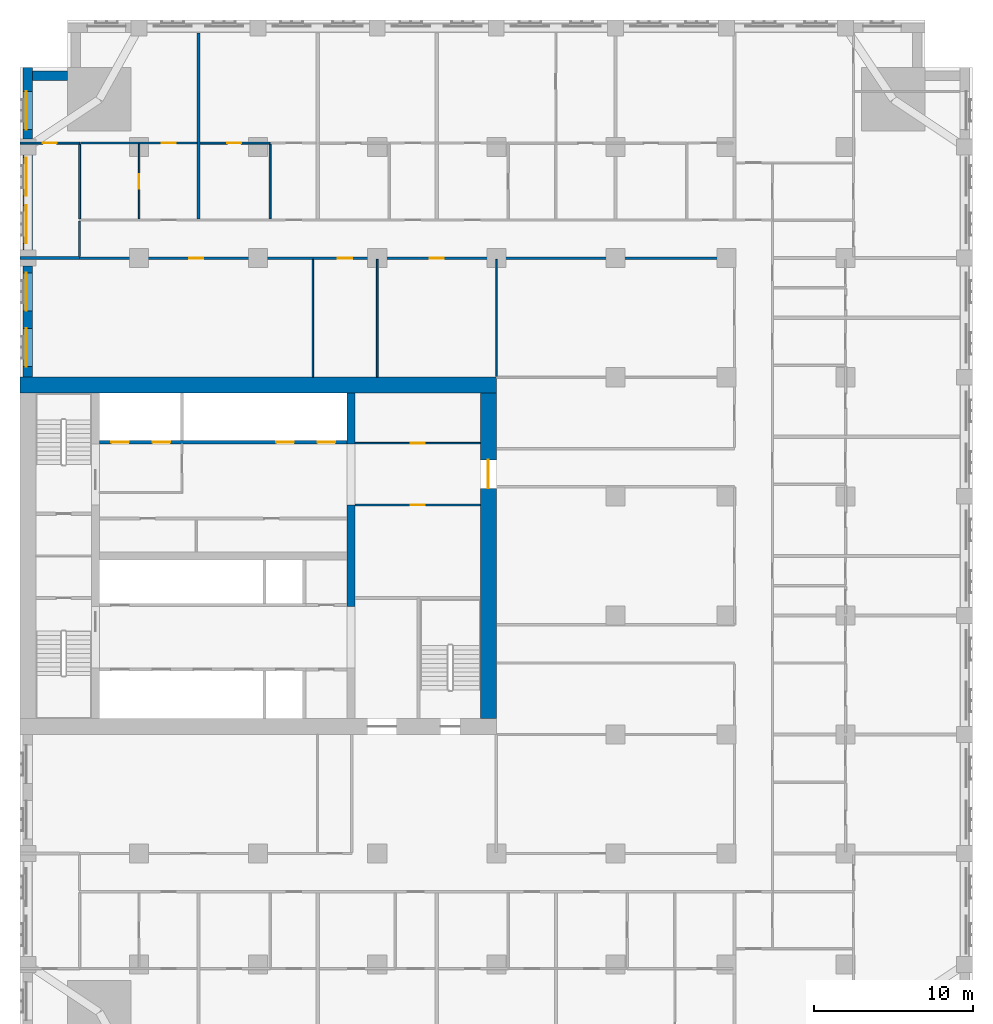
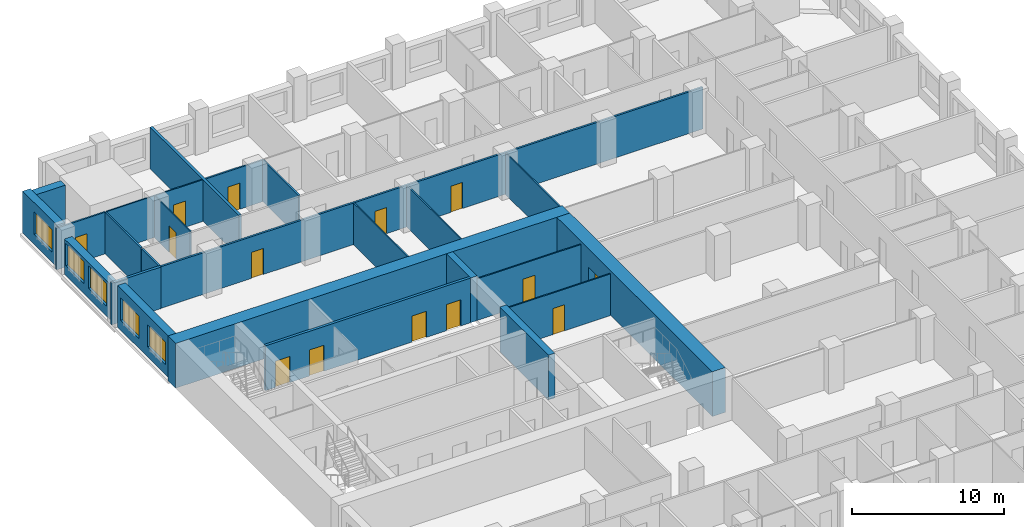
# One storey, part 8 of 14: 24 walls, 14 doors, 5 windows, 19 openings.
"""IFC4 building model written with IfcOpenShell, lengths in metres."""

from ifc_helpers import new_model, si_unit, direction, frame, frame_2d, origin, place, context, subcontext, project, spatial, rectangle, extrude, material, layer, layer_set, type_object, element, fill, save


model = new_model("IFC4")

# Units and contexts
model_context = context("Model", 3, precision=1e-05, world=origin(), true_north=direction((0.0, 1.0)))
body_context = subcontext(model_context, "Body", "Model", "MODEL_VIEW")
ifc_project = project(units=[si_unit("LENGTHUNIT", "METRE"), si_unit("AREAUNIT", "SQUARE_METRE"), si_unit("VOLUMEUNIT", "CUBIC_METRE"), si_unit("PLANEANGLEUNIT", "RADIAN"), si_unit("MASSUNIT", "GRAM", prefix="KILO")], contexts=[model_context])

# Site, building, storey
site_placement = place(None, origin())
site = spatial("IfcSite", under=ifc_project, at=site_placement, CompositionType="ELEMENT")
building_placement = place(site_placement, origin())
building = spatial("IfcBuilding", under=site, at=building_placement, Name="Tamorin Gate", CompositionType="ELEMENT")
storey_placement = place(building_placement, frame((0.0, 0.0, 52.0)))
storey = spatial("IfcBuildingStorey", under=building, at=storey_placement, Name="L11", CompositionType="ELEMENT", Elevation=52.0)

# Wall
ifc_material_1 = material(Name="Precast concrete C40/50", Category="concrete")
ifc_layer_1 = layer(ifc_material_1, 0.60009765625)
ifc_layer_set_1 = layer_set([ifc_layer_1], Name="Precast concrete C40/50")
wall_type_1 = type_object("IfcWallType", Name="Board-marked concrete facade panel 600", PredefinedType="SOLIDWALL", material=ifc_layer_set_1)
wall_1_placement = place(storey_placement, frame((33.0, 101.5, 0.0), z_axis=(0.0, 0.0, 1.0), x_axis=(-1.0, 0.0, 0.0)))
element("IfcWall", 1, at=wall_1_placement, inside=storey, type_object=wall_type_1, Name="Facade panel", PredefinedType="SOLIDWALL", context=body_context, shape_type="SweptSolid", body=[
    extrude(rectangle(XDim=2.199951171875, YDim=0.60009765625, at=frame_2d((1.10009765625, 0.0))), origin(), (0.0, 0.0, 1.0), 3.35009765625),
])

# Wall, opening, window
wall_2_placement = place(storey_placement, frame((30.5, 102.0, 0.0), z_axis=(0.0, 0.0, 1.0), x_axis=(0.0, -1.0, 0.0)))
wall_2 = element("IfcWall", 2, at=wall_2_placement, inside=storey, type_object=wall_type_1, Name="Facade panel", PredefinedType="SOLIDWALL", context=body_context, shape_type="SweptSolid", body=[
    extrude(rectangle(XDim=4.5, YDim=0.60009765625, at=frame_2d((2.25, 0.0))), origin(), (0.0, 0.0, 1.0), 3.35009765625),
])
opening_1_placement = place(wall_2_placement, frame((1.5, 0.0, 0.800048828125)))
opening_1 = element("IfcOpeningElement", 3, at=opening_1_placement, cuts=wall_2, Name="Opening WN1", PredefinedType="OPENING", context=body_context, shape_type="SweptSolid", body=[
    extrude(rectangle(XDim=2.39990234375, YDim=1.800048828125, at=frame_2d((1.199951171875, 0.89990234375))), frame((0.0, 0.31005859375, 0.0), z_axis=(0.0, -1.0, 0.0), x_axis=(1.0, 0.0, 0.0)), (0.0, 0.0, 1.0), 0.6201171875),
])
ifc_material_2 = material(Name="Clear glass in aluminium frame", Category="aluminium")
window_type = type_object("IfcWindowType", Name="Deep-set window 2400x1800", PartitioningType="SINGLE_PANEL", PredefinedType="WINDOW", material=ifc_material_2)
window_1_placement = place(opening_1_placement, origin())
window_1 = element("IfcWindow", 4, at=window_1_placement, inside=storey, type_object=window_type, Name="Deep-set window", OverallHeight=1.800048828125, OverallWidth=2.39990234375, PartitioningType="SINGLE_PANEL", PredefinedType="WINDOW", context=body_context, shape_type="SweptSolid", body=[
    extrude(rectangle(XDim=2.39990234375, YDim=1.800048828125, at=frame_2d((1.199951171875, 0.89990234375))), frame((0.0, -0.070068359375, 0.0), z_axis=(0.0, -1.0, 0.0), x_axis=(1.0, 0.0, 0.0)), (0.0, 0.0, 1.0), 0.06005859375),
])
fill(opening_1, window_1)

# Wall, openings, windows
wall_3_placement = place(storey_placement, frame((30.5, 96.5, 0.0), z_axis=(0.0, 0.0, 1.0), x_axis=(0.0, -1.0, 0.0)))
wall_3 = element("IfcWall", 5, at=wall_3_placement, inside=storey, type_object=wall_type_1, Name="Facade panel", PredefinedType="SOLIDWALL", context=body_context, shape_type="SweptSolid", body=[
    extrude(rectangle(XDim=6.0, YDim=0.60009765625, at=frame_2d((3.0, 0.0))), origin(), (0.0, 0.0, 1.0), 2.85009765625),
])
opening_2_placement = place(wall_3_placement, frame((3.175048828125, 0.0, 0.800048828125)))
opening_2 = element("IfcOpeningElement", 6, at=opening_2_placement, cuts=wall_3, Name="Opening WN1", PredefinedType="OPENING", context=body_context, shape_type="SweptSolid", body=[
    extrude(rectangle(XDim=2.39990234375, YDim=1.800048828125, at=frame_2d((1.199951171875, 0.89990234375))), frame((0.0, 0.31005859375, 0.0), z_axis=(0.0, -1.0, 0.0), x_axis=(1.0, 0.0, 0.0)), (0.0, 0.0, 1.0), 0.6201171875),
])
opening_3_placement = place(wall_3_placement, frame((0.175048828125, 0.0, 0.800048828125)))
opening_3 = element("IfcOpeningElement", 7, at=opening_3_placement, cuts=wall_3, Name="Opening WN1", PredefinedType="OPENING", context=body_context, shape_type="SweptSolid", body=[
    extrude(rectangle(XDim=2.39990234375, YDim=1.800048828125, at=frame_2d((1.199951171875, 0.89990234375))), frame((0.0, 0.31005859375, 0.0), z_axis=(0.0, -1.0, 0.0), x_axis=(1.0, 0.0, 0.0)), (0.0, 0.0, 1.0), 0.6201171875),
])
window_2_placement = place(opening_2_placement, origin())
window_2 = element("IfcWindow", 8, at=window_2_placement, inside=storey, type_object=window_type, Name="Deep-set window", OverallHeight=1.800048828125, OverallWidth=2.39990234375, PartitioningType="SINGLE_PANEL", PredefinedType="WINDOW", context=body_context, shape_type="SweptSolid", body=[
    extrude(rectangle(XDim=2.39990234375, YDim=1.800048828125, at=frame_2d((1.199951171875, 0.89990234375))), frame((0.0, -0.070068359375, 0.0), z_axis=(0.0, -1.0, 0.0), x_axis=(1.0, 0.0, 0.0)), (0.0, 0.0, 1.0), 0.06005859375),
])
fill(opening_2, window_2)
window_3_placement = place(opening_3_placement, origin())
window_3 = element("IfcWindow", 9, at=window_3_placement, inside=storey, type_object=window_type, Name="Deep-set window", OverallHeight=1.800048828125, OverallWidth=2.39990234375, PartitioningType="SINGLE_PANEL", PredefinedType="WINDOW", context=body_context, shape_type="SweptSolid", body=[
    extrude(rectangle(XDim=2.39990234375, YDim=1.800048828125, at=frame_2d((1.199951171875, 0.89990234375))), frame((0.0, -0.070068359375, 0.0), z_axis=(0.0, -1.0, 0.0), x_axis=(1.0, 0.0, 0.0)), (0.0, 0.0, 1.0), 0.06005859375),
])
fill(opening_3, window_3)

wall_4_placement = place(storey_placement, frame((30.5, 89.5, 0.0), z_axis=(0.0, 0.0, 1.0), x_axis=(0.0, -1.0, 0.0)))
wall_4 = element("IfcWall", 10, at=wall_4_placement, inside=storey, type_object=wall_type_1, Name="Facade panel", PredefinedType="SOLIDWALL", context=body_context, shape_type="SweptSolid", body=[
    extrude(rectangle(XDim=7.0, YDim=0.60009765625, at=frame_2d((3.5, 0.0))), origin(), (0.0, 0.0, 1.0), 3.35009765625),
])
opening_4_placement = place(wall_4_placement, frame((3.925048828125, 0.0, 0.800048828125)))
opening_4 = element("IfcOpeningElement", 11, at=opening_4_placement, cuts=wall_4, Name="Opening WN1", PredefinedType="OPENING", context=body_context, shape_type="SweptSolid", body=[
    extrude(rectangle(XDim=2.39990234375, YDim=1.800048828125, at=frame_2d((1.199951171875, 0.89990234375))), frame((0.0, 0.31005859375, 0.0), z_axis=(0.0, -1.0, 0.0), x_axis=(1.0, 0.0, 0.0)), (0.0, 0.0, 1.0), 0.6201171875),
])
opening_5_placement = place(wall_4_placement, frame((0.425048828125, 0.0, 0.800048828125)))
opening_5 = element("IfcOpeningElement", 12, at=opening_5_placement, cuts=wall_4, Name="Opening WN1", PredefinedType="OPENING", context=body_context, shape_type="SweptSolid", body=[
    extrude(rectangle(XDim=2.39990234375, YDim=1.800048828125, at=frame_2d((1.199951171875, 0.89990234375))), frame((0.0, 0.31005859375, 0.0), z_axis=(0.0, -1.0, 0.0), x_axis=(1.0, 0.0, 0.0)), (0.0, 0.0, 1.0), 0.6201171875),
])
window_4_placement = place(opening_4_placement, origin())
window_4 = element("IfcWindow", 13, at=window_4_placement, inside=storey, type_object=window_type, Name="Deep-set window", OverallHeight=1.800048828125, OverallWidth=2.39990234375, PartitioningType="SINGLE_PANEL", PredefinedType="WINDOW", context=body_context, shape_type="SweptSolid", body=[
    extrude(rectangle(XDim=2.39990234375, YDim=1.800048828125, at=frame_2d((1.199951171875, 0.89990234375))), frame((0.0, -0.070068359375, 0.0), z_axis=(0.0, -1.0, 0.0), x_axis=(1.0, 0.0, 0.0)), (0.0, 0.0, 1.0), 0.06005859375),
])
fill(opening_4, window_4)
window_5_placement = place(opening_5_placement, origin())
window_5 = element("IfcWindow", 14, at=window_5_placement, inside=storey, type_object=window_type, Name="Deep-set window", OverallHeight=1.800048828125, OverallWidth=2.39990234375, PartitioningType="SINGLE_PANEL", PredefinedType="WINDOW", context=body_context, shape_type="SweptSolid", body=[
    extrude(rectangle(XDim=2.39990234375, YDim=1.800048828125, at=frame_2d((1.199951171875, 0.89990234375))), frame((0.0, -0.070068359375, 0.0), z_axis=(0.0, -1.0, 0.0), x_axis=(1.0, 0.0, 0.0)), (0.0, 0.0, 1.0), 0.06005859375),
])
fill(opening_5, window_5)

# Wall, openings, doors
ifc_material_3 = material(Name="Gypsum board partition")
ifc_layer_2 = layer(ifc_material_3, 0.14990234375)
ifc_layer_set_2 = layer_set([ifc_layer_2], Name="Corridor wall 150")
wall_type_2 = type_object("IfcWallType", Name="Corridor wall 150", PredefinedType="PARTITIONING", material=ifc_layer_set_2)
wall_5_placement = place(storey_placement, frame((33.75, 90.0, 0.0), z_axis=(0.0, 0.0, 1.0), x_axis=(1.0, 0.0, 0.0)))
wall_5 = element("IfcWall", 15, at=wall_5_placement, inside=storey, type_object=wall_type_2, Name="Corridor wall 150", PredefinedType="PARTITIONING", context=body_context, shape_type="SweptSolid", body=[
    extrude(rectangle(XDim=41.25, YDim=0.14990234375, at=frame_2d((20.625, 0.0))), origin(), (0.0, 0.0, 1.0), 3.35009765625),
])
opening_6_placement = place(wall_5_placement, frame((6.89990234375, 0.0, 0.0)))
opening_6 = element("IfcOpeningElement", 16, at=opening_6_placement, cuts=wall_5, Name="Opening DH2070", PredefinedType="OPENING", context=body_context, shape_type="SweptSolid", body=[
    extrude(rectangle(XDim=0.89990234375, YDim=2.10009765625, at=frame_2d((0.449951171875, 1.050048828125))), frame((0.0, 0.0849609375, 0.0), z_axis=(0.0, -1.0, 0.0), x_axis=(1.0, 0.0, 0.0)), (0.0, 0.0, 1.0), 0.169921875),
])
opening_7_placement = place(wall_5_placement, frame((16.27490234375, 0.0, 0.0)))
opening_7 = element("IfcOpeningElement", 17, at=opening_7_placement, cuts=wall_5, Name="Opening DH2071", PredefinedType="OPENING", context=body_context, shape_type="SweptSolid", body=[
    extrude(rectangle(XDim=0.89990234375, YDim=2.10009765625, at=frame_2d((0.449951171875, 1.050048828125))), frame((0.0, 0.0849609375, 0.0), z_axis=(0.0, -1.0, 0.0), x_axis=(1.0, 0.0, 0.0)), (0.0, 0.0, 1.0), 0.169921875),
])
opening_8_placement = place(wall_5_placement, frame((22.050048828125, 0.0, 0.0)))
opening_8 = element("IfcOpeningElement", 18, at=opening_8_placement, cuts=wall_5, Name="Opening DH2072", PredefinedType="OPENING", context=body_context, shape_type="SweptSolid", body=[
    extrude(rectangle(XDim=0.89990234375, YDim=2.10009765625, at=frame_2d((0.449951171875, 1.050048828125))), frame((0.0, 0.0849609375, 0.0), z_axis=(0.0, -1.0, 0.0), x_axis=(1.0, 0.0, 0.0)), (0.0, 0.0, 1.0), 0.169921875),
])
ifc_material_4 = material(Name="Timber door leaf", Category="wood")
door_type_1 = type_object("IfcDoorType", Name="Door 900 x 2100 FD30S", OperationType="NOTDEFINED", PredefinedType="DOOR", material=ifc_material_4)
door_1_placement = place(opening_6_placement, origin())
door_1 = element("IfcDoor", 19, at=door_1_placement, inside=storey, type_object=door_type_1, Name="Door DH2070", OperationType="SINGLE_SWING_RIGHT", OverallHeight=2.10009765625, OverallWidth=0.89990234375, PredefinedType="DOOR", context=body_context, shape_type="SweptSolid", body=[
    extrude(rectangle(XDim=0.89990234375, YDim=2.10009765625, at=frame_2d((0.449951171875, 1.050048828125))), frame((0.0, 0.02490234375, 0.0), z_axis=(0.0, -1.0, 0.0), x_axis=(1.0, 0.0, 0.0)), (0.0, 0.0, 1.0), 0.050048828125),
])
fill(opening_6, door_1)
door_2_placement = place(opening_7_placement, origin())
door_2 = element("IfcDoor", 20, at=door_2_placement, inside=storey, type_object=door_type_1, Name="Door DH2071", OperationType="SINGLE_SWING_LEFT", OverallHeight=2.10009765625, OverallWidth=0.89990234375, PredefinedType="DOOR", context=body_context, shape_type="SweptSolid", body=[
    extrude(rectangle(XDim=0.89990234375, YDim=2.10009765625, at=frame_2d((0.449951171875, 1.050048828125))), frame((0.0, 0.02490234375, 0.0), z_axis=(0.0, -1.0, 0.0), x_axis=(1.0, 0.0, 0.0)), (0.0, 0.0, 1.0), 0.050048828125),
])
fill(opening_7, door_2)
door_3_placement = place(opening_8_placement, origin())
door_3 = element("IfcDoor", 21, at=door_3_placement, inside=storey, type_object=door_type_1, Name="Door DH2072", OperationType="SINGLE_SWING_RIGHT", OverallHeight=2.10009765625, OverallWidth=0.89990234375, PredefinedType="DOOR", context=body_context, shape_type="SweptSolid", body=[
    extrude(rectangle(XDim=0.89990234375, YDim=2.10009765625, at=frame_2d((0.449951171875, 1.050048828125))), frame((0.0, 0.02490234375, 0.0), z_axis=(0.0, -1.0, 0.0), x_axis=(1.0, 0.0, 0.0)), (0.0, 0.0, 1.0), 0.050048828125),
])
fill(opening_8, door_3)

# Walls
wall_6_placement = place(storey_placement, frame((33.75, 90.10009765625, 0.0), z_axis=(0.0, 0.0, 1.0), x_axis=(0.0, 1.0, 0.0)))
element("IfcWall", 22, at=wall_6_placement, inside=storey, type_object=wall_type_2, Name="Corridor wall 150", PredefinedType="PARTITIONING", context=body_context, shape_type="SweptSolid", body=[
    extrude(rectangle(XDim=2.224853515625, YDim=0.14990234375, at=frame_2d((1.1123046875, 0.0))), origin(), (0.0, 0.0, 1.0), 3.35009765625),
])
ifc_layer_3 = layer(ifc_material_3, 0.199951171875)
ifc_layer_set_3 = layer_set([ifc_layer_3], Name="Demising wall 200")
wall_type_3 = type_object("IfcWallType", Name="Demising wall 200", PredefinedType="PARTITIONING", material=ifc_layer_set_3)
wall_7_placement = place(storey_placement, frame((30.0, 90.0, 0.0), z_axis=(0.0, 0.0, 1.0), x_axis=(1.0, 0.0, 0.0)))
element("IfcWall", 23, at=wall_7_placement, inside=storey, type_object=wall_type_3, Name="Demising wall 200", PredefinedType="PARTITIONING", context=body_context, shape_type="SweptSolid", body=[
    extrude(rectangle(XDim=3.75, YDim=0.199951171875, at=frame_2d((1.875, 0.0))), origin(), (0.0, 0.0, 1.0), 3.35009765625),
])
wall_8_placement = place(storey_placement, frame((41.25, 92.47509765625, 0.0), z_axis=(0.0, 0.0, 1.0), x_axis=(0.0, 1.0, 0.0)))
element("IfcWall", 24, at=wall_8_placement, inside=storey, type_object=wall_type_3, Name="Demising wall 200", PredefinedType="PARTITIONING", context=body_context, shape_type="SweptSolid", body=[
    extrude(rectangle(XDim=11.71484375, YDim=0.199951171875, at=frame_2d((5.857421875, 0.0))), origin(), (0.0, 0.0, 1.0), 3.35009765625),
])

# Wall, openings, doors
ifc_material_5 = material(Name="Concrete C32/40", Category="concrete")
ifc_layer_4 = layer(ifc_material_5, 0.199951171875)
ifc_layer_set_4 = layer_set([ifc_layer_4], Name="Lift lobby face wall 200 EI 120")
wall_type_4 = type_object("IfcWallType", Name="Lift lobby face wall 200 EI 120", PredefinedType="SOLIDWALL", material=ifc_layer_set_4)
wall_9_placement = place(storey_placement, frame((35.0, 78.39990234375, 0.0), z_axis=(0.0, 0.0, 1.0), x_axis=(1.0, 0.0, 0.0)))
wall_9 = element("IfcWall", 25, at=wall_9_placement, inside=storey, type_object=wall_type_4, Name="Lift lobby face wall", PredefinedType="SOLIDWALL", context=body_context, shape_type="SweptSolid", body=[
    extrude(rectangle(XDim=15.60009765625, YDim=0.199951171875, at=frame_2d((7.800048828125, 0.0))), origin(), (0.0, 0.0, 1.0), 3.60009765625),
])
opening_9_placement = place(wall_9_placement, frame((0.75, 0.0, 0.0)))
opening_9 = element("IfcOpeningElement", 26, at=opening_9_placement, cuts=wall_9, Name="Opening LD17", PredefinedType="OPENING", context=body_context, shape_type="SweptSolid", body=[
    extrude(rectangle(XDim=1.10009765625, YDim=2.10009765625, at=frame_2d((0.550048828125, 1.050048828125))), frame((0.0, 0.10986328125, 0.0), z_axis=(0.0, -1.0, 0.0), x_axis=(1.0, 0.0, 0.0)), (0.0, 0.0, 1.0), 0.219970703125),
])
opening_10_placement = place(wall_9_placement, frame((3.35009765625, 0.0, 0.0)))
opening_10 = element("IfcOpeningElement", 27, at=opening_10_placement, cuts=wall_9, Name="Opening LD18", PredefinedType="OPENING", context=body_context, shape_type="SweptSolid", body=[
    extrude(rectangle(XDim=1.10009765625, YDim=2.10009765625, at=frame_2d((0.550048828125, 1.050048828125))), frame((0.0, 0.10986328125, 0.0), z_axis=(0.0, -1.0, 0.0), x_axis=(1.0, 0.0, 0.0)), (0.0, 0.0, 1.0), 0.219970703125),
])
opening_11_placement = place(wall_9_placement, frame((11.14990234375, 0.0, 0.0)))
opening_11 = element("IfcOpeningElement", 28, at=opening_11_placement, cuts=wall_9, Name="Opening LD21", PredefinedType="OPENING", context=body_context, shape_type="SweptSolid", body=[
    extrude(rectangle(XDim=1.10009765625, YDim=2.10009765625, at=frame_2d((0.550048828125, 1.050048828125))), frame((0.0, 0.10986328125, 0.0), z_axis=(0.0, -1.0, 0.0), x_axis=(1.0, 0.0, 0.0)), (0.0, 0.0, 1.0), 0.219970703125),
])
opening_12_placement = place(wall_9_placement, frame((13.75, 0.0, 0.0)))
opening_12 = element("IfcOpeningElement", 29, at=opening_12_placement, cuts=wall_9, Name="Opening LD22", PredefinedType="OPENING", context=body_context, shape_type="SweptSolid", body=[
    extrude(rectangle(XDim=1.10009765625, YDim=2.10009765625, at=frame_2d((0.550048828125, 1.050048828125))), frame((0.0, 0.10986328125, 0.0), z_axis=(0.0, -1.0, 0.0), x_axis=(1.0, 0.0, 0.0)), (0.0, 0.0, 1.0), 0.219970703125),
])
ifc_material_6 = material(Name="Stainless steel sliding door", Category="steel")
door_type_2 = type_object("IfcDoorType", Name="Lift landing door 1100 x 2100 E 90", OperationType="DOUBLE_DOOR_SLIDING", PredefinedType="DOOR", material=ifc_material_6)
door_4_placement = place(opening_9_placement, origin())
door_4 = element("IfcDoor", 30, at=door_4_placement, inside=storey, type_object=door_type_2, Name="FF1 landing door", OperationType="DOUBLE_DOOR_SLIDING", OverallHeight=2.10009765625, OverallWidth=1.10009765625, PredefinedType="DOOR", context=body_context, shape_type="SweptSolid", body=[
    extrude(rectangle(XDim=1.10009765625, YDim=2.10009765625, at=frame_2d((0.550048828125, 1.050048828125))), frame((0.0, 0.02490234375, 0.0), z_axis=(0.0, -1.0, 0.0), x_axis=(1.0, 0.0, 0.0)), (0.0, 0.0, 1.0), 0.050048828125),
])
fill(opening_9, door_4)
door_5_placement = place(opening_10_placement, origin())
door_5 = element("IfcDoor", 31, at=door_5_placement, inside=storey, type_object=door_type_2, Name="FF2 landing door", OperationType="DOUBLE_DOOR_SLIDING", OverallHeight=2.10009765625, OverallWidth=1.10009765625, PredefinedType="DOOR", context=body_context, shape_type="SweptSolid", body=[
    extrude(rectangle(XDim=1.10009765625, YDim=2.10009765625, at=frame_2d((0.550048828125, 1.050048828125))), frame((0.0, 0.02490234375, 0.0), z_axis=(0.0, -1.0, 0.0), x_axis=(1.0, 0.0, 0.0)), (0.0, 0.0, 1.0), 0.050048828125),
])
fill(opening_10, door_5)
door_6_placement = place(opening_11_placement, origin())
door_6 = element("IfcDoor", 32, at=door_6_placement, inside=storey, type_object=door_type_2, Name="SV1 landing door", OperationType="DOUBLE_DOOR_SLIDING", OverallHeight=2.10009765625, OverallWidth=1.10009765625, PredefinedType="DOOR", context=body_context, shape_type="SweptSolid", body=[
    extrude(rectangle(XDim=1.10009765625, YDim=2.10009765625, at=frame_2d((0.550048828125, 1.050048828125))), frame((0.0, 0.02490234375, 0.0), z_axis=(0.0, -1.0, 0.0), x_axis=(1.0, 0.0, 0.0)), (0.0, 0.0, 1.0), 0.050048828125),
])
fill(opening_11, door_6)
door_7_placement = place(opening_12_placement, origin())
door_7 = element("IfcDoor", 33, at=door_7_placement, inside=storey, type_object=door_type_2, Name="SV2 landing door", OperationType="DOUBLE_DOOR_SLIDING", OverallHeight=2.10009765625, OverallWidth=1.10009765625, PredefinedType="DOOR", context=body_context, shape_type="SweptSolid", body=[
    extrude(rectangle(XDim=1.10009765625, YDim=2.10009765625, at=frame_2d((0.550048828125, 1.050048828125))), frame((0.0, 0.02490234375, 0.0), z_axis=(0.0, -1.0, 0.0), x_axis=(1.0, 0.0, 0.0)), (0.0, 0.0, 1.0), 0.050048828125),
])
fill(opening_12, door_7)

# Walls
ifc_material_7 = material(Name="Concrete C80/95", Category="concrete")
ifc_layer_5 = layer(ifc_material_7, 0.5)
ifc_layer_set_5 = layer_set([ifc_layer_5], Name="RC core internal wall 500 C80/95")
wall_type_5 = type_object("IfcWallType", Name="RC core internal wall 500 C80/95", PredefinedType="SHEAR", material=ifc_layer_set_5)
wall_10_placement = place(storey_placement, frame((50.85009765625, 68.050048828125, 0.0), z_axis=(0.0, 0.0, 1.0), x_axis=(0.0, 1.0, 0.0)))
element("IfcWall", 34, at=wall_10_placement, inside=storey, type_object=wall_type_5, Name="Core cross wall L11", PredefinedType="SHEAR", context=body_context, shape_type="SweptSolid", body=[
    extrude(rectangle(XDim=6.39990234375, YDim=0.5, at=frame_2d((3.199951171875, 0.0))), origin(), (0.0, 0.0, 1.0), 3.60009765625),
])
wall_11_placement = place(storey_placement, frame((50.85009765625, 78.300048828125, 0.0), z_axis=(0.0, 0.0, 1.0), x_axis=(0.0, 1.0, 0.0)))
element("IfcWall", 35, at=wall_11_placement, inside=storey, type_object=wall_type_5, Name="Core cross wall L11", PredefinedType="SHEAR", context=body_context, shape_type="SweptSolid", body=[
    extrude(rectangle(XDim=3.199951171875, YDim=0.5, at=frame_2d((1.60009765625, 0.0))), origin(), (0.0, 0.0, 1.0), 3.60009765625),
])
ifc_layer_6 = layer(ifc_material_7, 1.0)
ifc_layer_set_6 = layer_set([ifc_layer_6], Name="RC core wall 1000 C80/95")
wall_type_6 = type_object("IfcWallType", Name="RC core wall 1000 C80/95", PredefinedType="SHEAR", material=ifc_layer_set_6)
wall_12_placement = place(storey_placement, frame((30.0, 82.0, 0.0), z_axis=(0.0, 0.0, 1.0), x_axis=(1.0, 0.0, 0.0)))
element("IfcWall", 36, at=wall_12_placement, inside=storey, type_object=wall_type_6, Name="Core wall L11", PredefinedType="SHEAR", context=body_context, shape_type="SweptSolid", body=[
    extrude(rectangle(XDim=30.0, YDim=1.0, at=frame_2d((15.0, 0.0))), origin(), (0.0, 0.0, 1.0), 3.60009765625),
])

# Wall, opening, door
wall_13_placement = place(storey_placement, frame((59.5, 61.0, 0.0), z_axis=(0.0, 0.0, 1.0), x_axis=(0.0, 1.0, 0.0)))
wall_13 = element("IfcWall", 37, at=wall_13_placement, inside=storey, type_object=wall_type_6, Name="Core wall L11", PredefinedType="SHEAR", context=body_context, shape_type="SweptSolid", body=[
    extrude(rectangle(XDim=20.5, YDim=1.0, at=frame_2d((10.25, 0.0))), origin(), (0.0, 0.0, 1.0), 3.60009765625),
])
opening_13_placement = place(wall_13_placement, frame((14.5, 0.0, 0.0)))
opening_13 = element("IfcOpeningElement", 38, at=opening_13_placement, cuts=wall_13, Name="Opening DE1", PredefinedType="OPENING", context=body_context, shape_type="SweptSolid", body=[
    extrude(rectangle(XDim=1.800048828125, YDim=2.10009765625, at=frame_2d((0.89990234375, 1.050048828125))), frame((0.0, 0.510009765625, 0.0), z_axis=(0.0, -1.0, 0.0), x_axis=(1.0, 0.0, 0.0)), (0.0, 0.0, 1.0), 1.02001953125),
])
ifc_material_8 = material(Name="Steel fire door", Category="steel")
door_type_3 = type_object("IfcDoorType", Name="Lobby exit double door 1800 x 2100 EI 60", OperationType="DOUBLE_DOOR_SINGLE_SWING", PredefinedType="DOOR", material=ifc_material_8)
door_8_placement = place(opening_13_placement, origin())
door_8 = element("IfcDoor", 39, at=door_8_placement, inside=storey, type_object=door_type_3, Name="Lift lobby B exit door", OperationType="DOUBLE_DOOR_SINGLE_SWING", OverallHeight=2.10009765625, OverallWidth=1.800048828125, PredefinedType="DOOR", context=body_context, shape_type="SweptSolid", body=[
    extrude(rectangle(XDim=1.800048828125, YDim=2.10009765625, at=frame_2d((0.89990234375, 1.050048828125))), frame((0.0, 0.02490234375, 0.0), z_axis=(0.0, -1.0, 0.0), x_axis=(1.0, 0.0, 0.0)), (0.0, 0.0, 1.0), 0.050048828125),
])
fill(opening_13, door_8)

ifc_layer_7 = layer(ifc_material_3, 0.10009765625)
ifc_layer_set_7 = layer_set([ifc_layer_7], Name="Room partition 100")
wall_type_7 = type_object("IfcWallType", Name="Room partition 100", PredefinedType="PARTITIONING", material=ifc_layer_set_7)
wall_14_placement = place(storey_placement, frame((33.8125, 97.25, 0.0), z_axis=(0.0, 0.0, 1.0), x_axis=(1.0, 0.0, 0.0)))
wall_14 = element("IfcWall", 40, at=wall_14_placement, inside=storey, type_object=wall_type_7, Name="Room partition 100", PredefinedType="PARTITIONING", context=body_context, shape_type="SweptSolid", body=[
    extrude(rectangle(XDim=7.33740234375, YDim=0.10009765625, at=frame_2d((3.668701171875, 0.0))), origin(), (0.0, 0.0, 1.0), 3.35009765625),
])
opening_14_placement = place(wall_14_placement, frame((5.112548828125, 0.0, 0.0)))
opening_14 = element("IfcOpeningElement", 41, at=opening_14_placement, cuts=wall_14, Name="Opening DH2022", PredefinedType="OPENING", context=body_context, shape_type="SweptSolid", body=[
    extrude(rectangle(XDim=0.89990234375, YDim=2.10009765625, at=frame_2d((0.449951171875, 1.050048828125))), frame((0.0, 0.06005859375, 0.0), z_axis=(0.0, -1.0, 0.0), x_axis=(1.0, 0.0, 0.0)), (0.0, 0.0, 1.0), 0.1201171875),
])
door_type_4 = type_object("IfcDoorType", Name="Door 900 x 2100", OperationType="NOTDEFINED", PredefinedType="DOOR", material=ifc_material_4)
door_9_placement = place(opening_14_placement, origin())
door_9 = element("IfcDoor", 42, at=door_9_placement, inside=storey, type_object=door_type_4, Name="Door DH2022", OperationType="SINGLE_SWING_RIGHT", OverallHeight=2.10009765625, OverallWidth=0.89990234375, PredefinedType="DOOR", context=body_context, shape_type="SweptSolid", body=[
    extrude(rectangle(XDim=0.89990234375, YDim=2.10009765625, at=frame_2d((0.449951171875, 1.050048828125))), frame((0.0, 0.02490234375, 0.0), z_axis=(0.0, -1.0, 0.0), x_axis=(1.0, 0.0, 0.0)), (0.0, 0.0, 1.0), 0.050048828125),
])
fill(opening_14, door_9)

wall_15_placement = place(storey_placement, frame((37.5, 92.47509765625, 0.0), z_axis=(0.0, 0.0, 1.0), x_axis=(0.0, 1.0, 0.0)))
wall_15 = element("IfcWall", 43, at=wall_15_placement, inside=storey, type_object=wall_type_7, Name="Room partition 100", PredefinedType="PARTITIONING", context=body_context, shape_type="SweptSolid", body=[
    extrude(rectangle(XDim=4.724853515625, YDim=0.10009765625, at=frame_2d((2.3623046875, 0.0))), origin(), (0.0, 0.0, 1.0), 3.35009765625),
])
opening_15_placement = place(wall_15_placement, frame((1.89990234375, 0.0, 0.0)))
opening_15 = element("IfcOpeningElement", 44, at=opening_15_placement, cuts=wall_15, Name="Opening DH2020", PredefinedType="OPENING", context=body_context, shape_type="SweptSolid", body=[
    extrude(rectangle(XDim=0.89990234375, YDim=2.10009765625, at=frame_2d((0.449951171875, 1.050048828125))), frame((0.0, 0.06005859375, 0.0), z_axis=(0.0, -1.0, 0.0), x_axis=(1.0, 0.0, 0.0)), (0.0, 0.0, 1.0), 0.1201171875),
])
door_10_placement = place(opening_15_placement, origin())
door_10 = element("IfcDoor", 45, at=door_10_placement, inside=storey, type_object=door_type_4, Name="Door DH2020", OperationType="SINGLE_SWING_RIGHT", OverallHeight=2.10009765625, OverallWidth=0.89990234375, PredefinedType="DOOR", context=body_context, shape_type="SweptSolid", body=[
    extrude(rectangle(XDim=0.89990234375, YDim=2.10009765625, at=frame_2d((0.449951171875, 1.050048828125))), frame((0.0, 0.02490234375, 0.0), z_axis=(0.0, -1.0, 0.0), x_axis=(1.0, 0.0, 0.0)), (0.0, 0.0, 1.0), 0.050048828125),
])
fill(opening_15, door_10)

# Walls
for number, where, z_axis, x_axis, name in (
    (46, (48.449951171875, 82.5, 0.0), (0.0, 0.0, 1.0), (0.0, 1.0, 0.0), "Room partition 100"),
    (47, (52.5, 82.5, 0.0), (0.0, 0.0, 1.0), (0.0, 1.0, 0.0), "Room partition 100"),
):
    element("IfcWall", number, at=place(storey_placement, frame(where, z_axis=z_axis, x_axis=x_axis)), inside=storey, type_object=wall_type_7, Name=name, PredefinedType="PARTITIONING", context=body_context, shape_type="SweptSolid", body=[
        extrude(rectangle(XDim=7.425048828125, YDim=0.10009765625, at=frame_2d((3.71240234375, 0.0))), origin(), (0.0, 0.0, 1.0), 3.35009765625),
    ])
wall_16_placement = place(storey_placement, frame((60.0, 82.550048828125, 0.0), z_axis=(0.0, 0.0, 1.0), x_axis=(0.0, 1.0, 0.0)))
element("IfcWall", 48, at=wall_16_placement, inside=storey, type_object=wall_type_7, Name="Room partition 100", PredefinedType="PARTITIONING", context=body_context, shape_type="SweptSolid", body=[
    extrude(rectangle(XDim=7.375, YDim=0.10009765625, at=frame_2d((3.6875, 0.0))), origin(), (0.0, 0.0, 1.0), 3.35009765625),
])

# Wall, opening, door
ifc_layer_8 = layer(ifc_material_3, 0.10009765625)
ifc_layer_set_8 = layer_set([ifc_layer_8], Name="Service room partition 100 EI 60")
wall_type_8 = type_object("IfcWallType", Name="Service room partition 100 EI 60", PredefinedType="PARTITIONING", material=ifc_layer_set_8)
wall_17_placement = place(storey_placement, frame((51.10009765625, 74.449951171875, 0.0), z_axis=(0.0, 0.0, 1.0), x_axis=(1.0, 0.0, 0.0)))
wall_17 = element("IfcWall", 49, at=wall_17_placement, inside=storey, type_object=wall_type_8, Name="Service room wall", PredefinedType="PARTITIONING", context=body_context, shape_type="SweptSolid", body=[
    extrude(rectangle(XDim=7.89990234375, YDim=0.10009765625, at=frame_2d((3.949951171875, 0.0))), origin(), (0.0, 0.0, 1.0), 3.35009765625),
])
opening_16_placement = place(wall_17_placement, frame((3.5, 0.0, 0.0)))
opening_16 = element("IfcOpeningElement", 50, at=opening_16_placement, cuts=wall_17, Name="Opening DR1", PredefinedType="OPENING", context=body_context, shape_type="SweptSolid", body=[
    extrude(rectangle(XDim=0.89990234375, YDim=2.10009765625, at=frame_2d((0.449951171875, 1.050048828125))), frame((0.0, 0.06005859375, 0.0), z_axis=(0.0, -1.0, 0.0), x_axis=(1.0, 0.0, 0.0)), (0.0, 0.0, 1.0), 0.1201171875),
])
door_type_5 = type_object("IfcDoorType", Name="Riser access door 900 x 2100 EI 120", OperationType="SINGLE_SWING_LEFT", PredefinedType="DOOR", material=ifc_material_8)
door_11_placement = place(opening_16_placement, origin())
door_11 = element("IfcDoor", 51, at=door_11_placement, inside=storey, type_object=door_type_5, Name="Duct riser door", OperationType="SINGLE_SWING_LEFT", OverallHeight=2.10009765625, OverallWidth=0.89990234375, PredefinedType="DOOR", context=body_context, shape_type="SweptSolid", body=[
    extrude(rectangle(XDim=0.89990234375, YDim=2.10009765625, at=frame_2d((0.449951171875, 1.050048828125))), frame((0.0, 0.02490234375, 0.0), z_axis=(0.0, -1.0, 0.0), x_axis=(1.0, 0.0, 0.0)), (0.0, 0.0, 1.0), 0.050048828125),
])
fill(opening_16, door_11)

wall_18_placement = place(storey_placement, frame((51.10009765625, 78.35009765625, 0.0), z_axis=(0.0, 0.0, 1.0), x_axis=(1.0, 0.0, 0.0)))
wall_18 = element("IfcWall", 52, at=wall_18_placement, inside=storey, type_object=wall_type_8, Name="Service room wall", PredefinedType="PARTITIONING", context=body_context, shape_type="SweptSolid", body=[
    extrude(rectangle(XDim=7.89990234375, YDim=0.10009765625, at=frame_2d((3.949951171875, 0.0))), origin(), (0.0, 0.0, 1.0), 3.35009765625),
])
opening_17_placement = place(wall_18_placement, frame((3.5, 0.0, 0.0)))
opening_17 = element("IfcOpeningElement", 53, at=opening_17_placement, cuts=wall_18, Name="Opening DK1", PredefinedType="OPENING", context=body_context, shape_type="SweptSolid", body=[
    extrude(rectangle(XDim=0.89990234375, YDim=2.10009765625, at=frame_2d((0.449951171875, 1.050048828125))), frame((0.0, 0.06005859375, 0.0), z_axis=(0.0, -1.0, 0.0), x_axis=(1.0, 0.0, 0.0)), (0.0, 0.0, 1.0), 0.1201171875),
])
ifc_material_9 = material(Name="Timber fire door", Category="wood")
door_type_6 = type_object("IfcDoorType", Name="Service room door 900 x 2100 EI 60", OperationType="SINGLE_SWING_LEFT", PredefinedType="DOOR", material=ifc_material_9)
door_12_placement = place(opening_17_placement, origin())
door_12 = element("IfcDoor", 54, at=door_12_placement, inside=storey, type_object=door_type_6, Name="Door Store", OperationType="SINGLE_SWING_LEFT", OverallHeight=2.10009765625, OverallWidth=0.89990234375, PredefinedType="DOOR", context=body_context, shape_type="SweptSolid", body=[
    extrude(rectangle(XDim=0.89990234375, YDim=2.10009765625, at=frame_2d((0.449951171875, 1.050048828125))), frame((0.0, 0.02490234375, 0.0), z_axis=(0.0, -1.0, 0.0), x_axis=(1.0, 0.0, 0.0)), (0.0, 0.0, 1.0), 0.050048828125),
])
fill(opening_17, door_12)

ifc_layer_9 = layer(ifc_material_3, 0.125)
ifc_layer_set_9 = layer_set([ifc_layer_9], Name="Wet wall 125")
wall_type_9 = type_object("IfcWallType", Name="Wet wall 125", PredefinedType="PARTITIONING", material=ifc_layer_set_9)
wall_19_placement = place(storey_placement, frame((30.0, 97.25, 0.0), z_axis=(0.0, 0.0, 1.0), x_axis=(1.0, 0.0, 0.0)))
wall_19 = element("IfcWall", 55, at=wall_19_placement, inside=storey, type_object=wall_type_9, Name="Wet wall 125", PredefinedType="PARTITIONING", context=body_context, shape_type="SweptSolid", body=[
    extrude(rectangle(XDim=3.75, YDim=0.125, at=frame_2d((1.875, 0.0))), origin(), (0.0, 0.0, 1.0), 3.35009765625),
])
opening_18_placement = place(wall_19_placement, frame((1.425048828125, 0.0, 0.0)))
opening_18 = element("IfcOpeningElement", 56, at=opening_18_placement, cuts=wall_19, Name="Opening DH2019", PredefinedType="OPENING", context=body_context, shape_type="SweptSolid", body=[
    extrude(rectangle(XDim=0.89990234375, YDim=2.10009765625, at=frame_2d((0.449951171875, 1.050048828125))), frame((0.0, 0.072509765625, 0.0), z_axis=(0.0, -1.0, 0.0), x_axis=(1.0, 0.0, 0.0)), (0.0, 0.0, 1.0), 0.14501953125),
])
door_13_placement = place(opening_18_placement, origin())
door_13 = element("IfcDoor", 57, at=door_13_placement, inside=storey, type_object=door_type_4, Name="Door DH2019", OperationType="SINGLE_SWING_RIGHT", OverallHeight=2.10009765625, OverallWidth=0.89990234375, PredefinedType="DOOR", context=body_context, shape_type="SweptSolid", body=[
    extrude(rectangle(XDim=0.89990234375, YDim=2.10009765625, at=frame_2d((0.449951171875, 1.050048828125))), frame((0.0, 0.02490234375, 0.0), z_axis=(0.0, -1.0, 0.0), x_axis=(1.0, 0.0, 0.0)), (0.0, 0.0, 1.0), 0.050048828125),
])
fill(opening_18, door_13)

wall_20_placement = place(storey_placement, frame((41.35009765625, 97.25, 0.0), z_axis=(0.0, 0.0, 1.0), x_axis=(1.0, 0.0, 0.0)))
wall_20 = element("IfcWall", 58, at=wall_20_placement, inside=storey, type_object=wall_type_9, Name="Wet wall 125", PredefinedType="PARTITIONING", context=body_context, shape_type="SweptSolid", body=[
    extrude(rectangle(XDim=4.39990234375, YDim=0.125, at=frame_2d((2.199951171875, 0.0))), origin(), (0.0, 0.0, 1.0), 3.35009765625),
])
opening_19_placement = place(wall_20_placement, frame((1.699951171875, 0.0, 0.0)))
opening_19 = element("IfcOpeningElement", 59, at=opening_19_placement, cuts=wall_20, Name="Opening DH2023", PredefinedType="OPENING", context=body_context, shape_type="SweptSolid", body=[
    extrude(rectangle(XDim=0.89990234375, YDim=2.10009765625, at=frame_2d((0.449951171875, 1.050048828125))), frame((0.0, 0.072509765625, 0.0), z_axis=(0.0, -1.0, 0.0), x_axis=(1.0, 0.0, 0.0)), (0.0, 0.0, 1.0), 0.14501953125),
])
door_14_placement = place(opening_19_placement, origin())
door_14 = element("IfcDoor", 60, at=door_14_placement, inside=storey, type_object=door_type_4, Name="Door DH2023", OperationType="SINGLE_SWING_RIGHT", OverallHeight=2.10009765625, OverallWidth=0.89990234375, PredefinedType="DOOR", context=body_context, shape_type="SweptSolid", body=[
    extrude(rectangle(XDim=0.89990234375, YDim=2.10009765625, at=frame_2d((0.449951171875, 1.050048828125))), frame((0.0, 0.02490234375, 0.0), z_axis=(0.0, -1.0, 0.0), x_axis=(1.0, 0.0, 0.0)), (0.0, 0.0, 1.0), 0.050048828125),
])
fill(opening_19, door_14)

# Walls
for number, where, z_axis, x_axis, name in (
    (61, (33.75, 92.47509765625, 0.0), (0.0, 0.0, 1.0), (0.0, 1.0, 0.0), "Wet wall 125"),
    (62, (45.75, 92.47509765625, 0.0), (0.0, 0.0, 1.0), (0.0, 1.0, 0.0), "Wet wall 125"),
):
    element("IfcWall", number, at=place(storey_placement, frame(where, z_axis=z_axis, x_axis=x_axis)), inside=storey, type_object=wall_type_9, Name=name, PredefinedType="PARTITIONING", context=body_context, shape_type="SweptSolid", body=[
        extrude(rectangle(XDim=4.71240234375, YDim=0.125, at=frame_2d((2.356201171875, 0.0))), origin(), (0.0, 0.0, 1.0), 3.35009765625),
    ])

save(model, "model.ifc")
